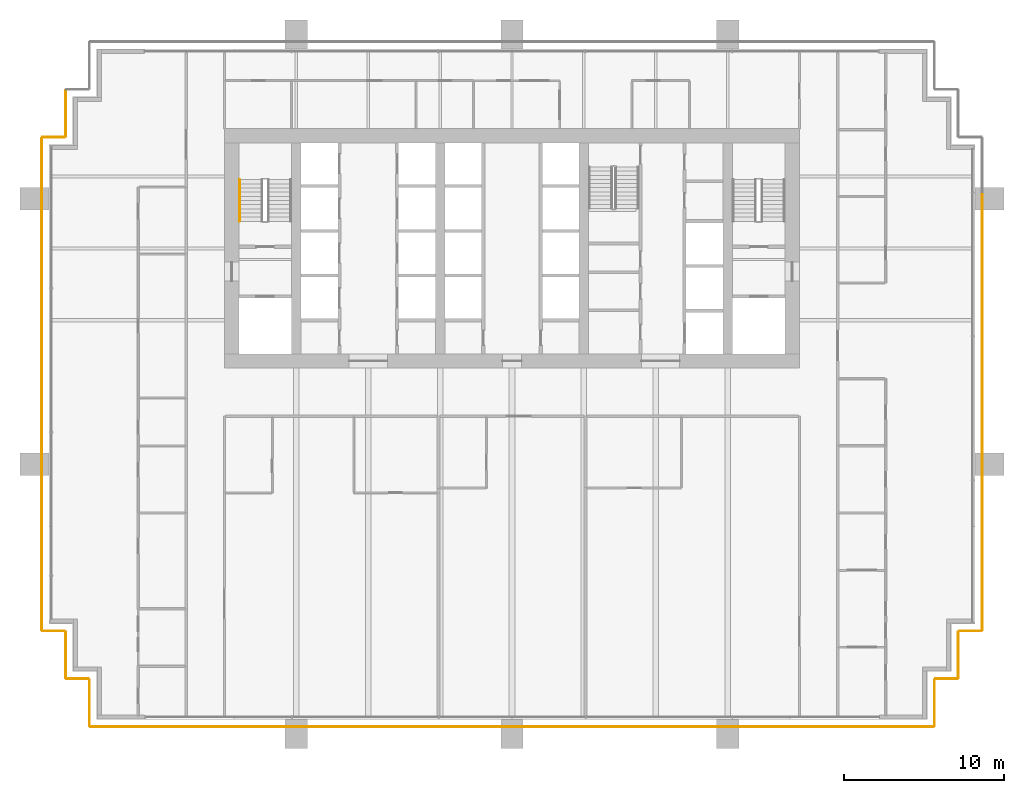
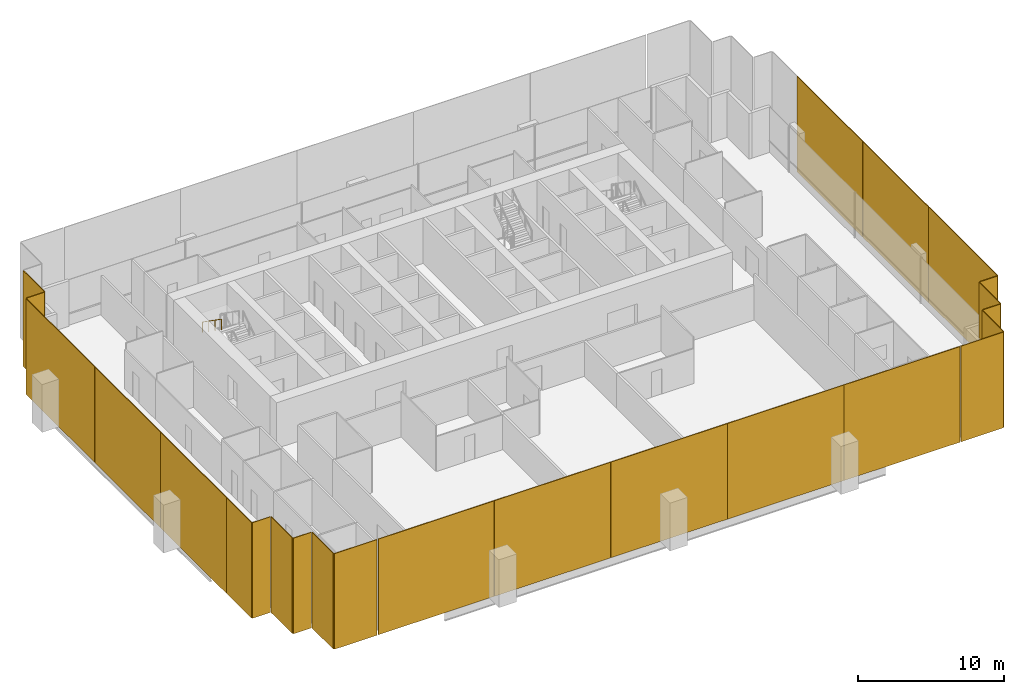
# One storey, part 15 of 17: 24 coverings, 1 railing.
"""IFC4 building model written with IfcOpenShell, lengths in metres."""

from ifc_helpers import new_model, si_unit, direction, frame, origin, origin_2d, place, context, subcontext, project, spatial, rectangle, extrude, material, layer, layer_set, type_object, element, save


model = new_model("IFC4")

# Units and contexts
model_context = context("Model", 3, precision=1e-05, world=origin(), true_north=direction((0.0, 1.0)))
body_context = subcontext(model_context, "Body", "Model", "MODEL_VIEW")
ifc_project = project(units=[si_unit("LENGTHUNIT", "METRE"), si_unit("AREAUNIT", "SQUARE_METRE"), si_unit("VOLUMEUNIT", "CUBIC_METRE"), si_unit("PLANEANGLEUNIT", "RADIAN"), si_unit("MASSUNIT", "GRAM", prefix="KILO")], contexts=[model_context])

# Site, building, storey
site_placement = place(None, origin())
site = spatial("IfcSite", under=ifc_project, at=site_placement, CompositionType="ELEMENT")
building_placement = place(site_placement, origin())
building = spatial("IfcBuilding", under=site, at=building_placement, Name="Rattan Terrace Tower", CompositionType="ELEMENT")
storey_placement = place(building_placement, frame((0.0, 0.0, 138.10009765625)))
storey = spatial("IfcBuildingStorey", under=building, at=storey_placement, Name="L31", CompositionType="ELEMENT", Elevation=138.10009765625)

# Railing
ifc_material_1 = material(Name="Powder-coated steel handrail", Category="steel")
railing_type = type_object("IfcRailingType", Name="Core stair handrail", PredefinedType="HANDRAIL", material=ifc_material_1)
railing_placement = place(storey_placement, frame((-17.050048828125, 4.300048828125, 2.181640625)))
element("IfcRailing", 1, at=railing_placement, inside=storey, type_object=railing_type, Name="L31 S1 stair handrail 2", PredefinedType="HANDRAIL", context=body_context, shape_type="SweptSolid", body=[
    extrude(rectangle(XDim=0.048095703125, YDim=0.048095703125, at=origin_2d()), frame((0.0, 0.0, 0.8759765625), z_axis=(0.0, -0.819484887739, 0.573100792852), x_axis=(1.0, 0.0, 0.0)), (0.0, 0.0, 1.0), 3.1728515625),
    extrude(rectangle(XDim=0.0419921875, YDim=0.0419921875, at=origin_2d()), origin(), (0.0, 0.0, 1.0), 0.851806640625),
    extrude(rectangle(XDim=0.0419921875, YDim=0.0419921875, at=origin_2d()), frame((0.0, -0.86669921875, 0.606201171875)), (0.0, 0.0, 1.0), 0.851806640625),
    extrude(rectangle(XDim=0.0419921875, YDim=0.0419921875, at=origin_2d()), frame((0.0, -1.7333984375, 1.212158203125)), (0.0, 0.0, 1.0), 0.851806640625),
    extrude(rectangle(XDim=0.0419921875, YDim=0.0419921875, at=origin_2d()), frame((0.0, -2.60009765625, 1.818359375)), (0.0, 0.0, 1.0), 0.851806640625),
])

# Coverings
ifc_material_2 = material(Name="Perforated terracotta", Category="masonry")
ifc_layer = layer(ifc_material_2, 0.06005859375)
ifc_layer_set = layer_set([ifc_layer], Name="Facade Terracotta Screen Panel")
covering_type = type_object("IfcCoveringType", Name="Facade Terracotta Screen Panel", PredefinedType="CLADDING", material=ifc_layer_set)
covering_1_placement = place(storey_placement, frame((24.72509765625, -29.949951171875, -0.190185546875), z_axis=(0.0, 0.0, 1.0), x_axis=(1.0, 0.0, 0.0)))
element("IfcCovering", 2, at=covering_1_placement, inside=storey, type_object=covering_type, Name="OUTER SKIN panel L31-1", PredefinedType="CLADDING", context=body_context, shape_type="SweptSolid", body=[
    extrude(rectangle(XDim=3.3701171875, YDim=0.06005859375, at=origin_2d()), origin(), (0.0, 0.0, 1.0), 7.97998046875),
])
covering_2_placement = place(storey_placement, frame((26.449951171875, -28.449951171875, -0.190185546875), z_axis=(0.0, 0.0, 1.0), x_axis=(0.0, 1.0, 0.0)))
element("IfcCovering", 3, at=covering_2_placement, inside=storey, type_object=covering_type, Name="OUTER SKIN panel L31-2", PredefinedType="CLADDING", context=body_context, shape_type="SweptSolid", body=[
    extrude(rectangle(XDim=2.919921875, YDim=0.06005859375, at=origin_2d()), origin(), (0.0, 0.0, 1.0), 7.97998046875),
])
covering_3_placement = place(storey_placement, frame((27.199951171875, -26.949951171875, -0.190185546875), z_axis=(0.0, 0.0, 1.0), x_axis=(1.0, 0.0, 0.0)))
element("IfcCovering", 4, at=covering_3_placement, inside=storey, type_object=covering_type, Name="OUTER SKIN panel L31-3", PredefinedType="CLADDING", context=body_context, shape_type="SweptSolid", body=[
    extrude(rectangle(XDim=1.419921875, YDim=0.06005859375, at=origin_2d()), origin(), (0.0, 0.0, 1.0), 7.97998046875),
])
covering_4_placement = place(storey_placement, frame((27.949951171875, -25.449951171875, -0.190185546875), z_axis=(0.0, 0.0, 1.0), x_axis=(0.0, 1.0, 0.0)))
element("IfcCovering", 5, at=covering_4_placement, inside=storey, type_object=covering_type, Name="OUTER SKIN panel L31-4", PredefinedType="CLADDING", context=body_context, shape_type="SweptSolid", body=[
    extrude(rectangle(XDim=2.919921875, YDim=0.06005859375, at=origin_2d()), origin(), (0.0, 0.0, 1.0), 7.97998046875),
])
covering_5_placement = place(storey_placement, frame((28.699951171875, -23.949951171875, -0.190185546875), z_axis=(0.0, 0.0, 1.0), x_axis=(1.0, 0.0, 0.0)))
element("IfcCovering", 6, at=covering_5_placement, inside=storey, type_object=covering_type, Name="OUTER SKIN panel L31-5", PredefinedType="CLADDING", context=body_context, shape_type="SweptSolid", body=[
    extrude(rectangle(XDim=1.419921875, YDim=0.06005859375, at=origin_2d()), origin(), (0.0, 0.0, 1.0), 7.97998046875),
])
covering_6_placement = place(storey_placement, frame((29.449951171875, -19.2099609375, -0.190185546875), z_axis=(0.0, 0.0, 1.0), x_axis=(0.0, 1.0, 0.0)))
element("IfcCovering", 7, at=covering_6_placement, inside=storey, type_object=covering_type, Name="OUTER SKIN panel L31-6", PredefinedType="CLADDING", context=body_context, shape_type="SweptSolid", body=[
    extrude(rectangle(XDim=9.39990234375, YDim=0.06005859375, at=origin_2d()), origin(), (0.0, 0.0, 1.0), 7.97998046875),
])
for number, where, z_axis, x_axis, name in (
    (8, (29.449951171875, -10.0, -0.190185546875), (0.0, 0.0, 1.0), (0.0, 1.0, 0.0), "OUTER SKIN panel L31-7"),
    (9, (29.449951171875, -1.0, -0.190185546875), (0.0, 0.0, 1.0), (0.0, 1.0, 0.0), "OUTER SKIN panel L31-8"),
):
    element("IfcCovering", number, at=place(storey_placement, frame(where, z_axis=z_axis, x_axis=x_axis)), inside=storey, type_object=covering_type, Name=name, PredefinedType="CLADDING", context=body_context, shape_type="SweptSolid", body=[
        extrude(rectangle(XDim=8.97998046875, YDim=0.06005859375, at=origin_2d()), origin(), (0.0, 0.0, 1.0), 7.97998046875),
    ])
covering_7_placement = place(storey_placement, frame((-27.949951171875, 8.449951171875, -0.190185546875), z_axis=(0.0, 0.0, 1.0), x_axis=(0.0, -1.0, 0.0)))
element("IfcCovering", 10, at=covering_7_placement, inside=storey, type_object=covering_type, Name="OUTER SKIN panel L31-23", PredefinedType="CLADDING", context=body_context, shape_type="SweptSolid", body=[
    extrude(rectangle(XDim=2.919921875, YDim=0.06005859375, at=origin_2d()), origin(), (0.0, 0.0, 1.0), 7.97998046875),
])
covering_8_placement = place(storey_placement, frame((-28.699951171875, 6.949951171875, -0.190185546875), z_axis=(0.0, 0.0, 1.0), x_axis=(-1.0, 0.0, 0.0)))
element("IfcCovering", 11, at=covering_8_placement, inside=storey, type_object=covering_type, Name="OUTER SKIN panel L31-24", PredefinedType="CLADDING", context=body_context, shape_type="SweptSolid", body=[
    extrude(rectangle(XDim=1.419921875, YDim=0.06005859375, at=origin_2d()), origin(), (0.0, 0.0, 1.0), 7.97998046875),
])
covering_9_placement = place(storey_placement, frame((-29.449951171875, 2.2099609375, -0.190185546875), z_axis=(0.0, 0.0, 1.0), x_axis=(0.0, -1.0, 0.0)))
element("IfcCovering", 12, at=covering_9_placement, inside=storey, type_object=covering_type, Name="OUTER SKIN panel L31-25", PredefinedType="CLADDING", context=body_context, shape_type="SweptSolid", body=[
    extrude(rectangle(XDim=9.39990234375, YDim=0.06005859375, at=origin_2d()), origin(), (0.0, 0.0, 1.0), 7.97998046875),
])
for number, where, z_axis, x_axis, name in (
    (13, (-29.449951171875, -7.0, -0.190185546875), (0.0, 0.0, 1.0), (0.0, -1.0, 0.0), "OUTER SKIN panel L31-26"),
    (14, (-29.449951171875, -16.0, -0.190185546875), (0.0, 0.0, 1.0), (0.0, -1.0, 0.0), "OUTER SKIN panel L31-27"),
):
    element("IfcCovering", number, at=place(storey_placement, frame(where, z_axis=z_axis, x_axis=x_axis)), inside=storey, type_object=covering_type, Name=name, PredefinedType="CLADDING", context=body_context, shape_type="SweptSolid", body=[
        extrude(rectangle(XDim=8.97998046875, YDim=0.06005859375, at=origin_2d()), origin(), (0.0, 0.0, 1.0), 7.97998046875),
    ])
covering_10_placement = place(storey_placement, frame((-29.449951171875, -22.2099609375, -0.190185546875), z_axis=(0.0, 0.0, 1.0), x_axis=(0.0, -1.0, 0.0)))
element("IfcCovering", 15, at=covering_10_placement, inside=storey, type_object=covering_type, Name="OUTER SKIN panel L31-28", PredefinedType="CLADDING", context=body_context, shape_type="SweptSolid", body=[
    extrude(rectangle(XDim=3.39990234375, YDim=0.06005859375, at=origin_2d()), origin(), (0.0, 0.0, 1.0), 7.97998046875),
])
covering_11_placement = place(storey_placement, frame((-28.699951171875, -23.949951171875, -0.190185546875), z_axis=(0.0, 0.0, 1.0), x_axis=(1.0, 0.0, 0.0)))
element("IfcCovering", 16, at=covering_11_placement, inside=storey, type_object=covering_type, Name="OUTER SKIN panel L31-29", PredefinedType="CLADDING", context=body_context, shape_type="SweptSolid", body=[
    extrude(rectangle(XDim=1.419921875, YDim=0.06005859375, at=origin_2d()), origin(), (0.0, 0.0, 1.0), 7.97998046875),
])
covering_12_placement = place(storey_placement, frame((-27.949951171875, -25.449951171875, -0.190185546875), z_axis=(0.0, 0.0, 1.0), x_axis=(0.0, -1.0, 0.0)))
element("IfcCovering", 17, at=covering_12_placement, inside=storey, type_object=covering_type, Name="OUTER SKIN panel L31-30", PredefinedType="CLADDING", context=body_context, shape_type="SweptSolid", body=[
    extrude(rectangle(XDim=2.919921875, YDim=0.06005859375, at=origin_2d()), origin(), (0.0, 0.0, 1.0), 7.97998046875),
])
covering_13_placement = place(storey_placement, frame((-27.199951171875, -26.949951171875, -0.190185546875), z_axis=(0.0, 0.0, 1.0), x_axis=(1.0, 0.0, 0.0)))
element("IfcCovering", 18, at=covering_13_placement, inside=storey, type_object=covering_type, Name="OUTER SKIN panel L31-31", PredefinedType="CLADDING", context=body_context, shape_type="SweptSolid", body=[
    extrude(rectangle(XDim=1.419921875, YDim=0.06005859375, at=origin_2d()), origin(), (0.0, 0.0, 1.0), 7.97998046875),
])
covering_14_placement = place(storey_placement, frame((-26.449951171875, -28.449951171875, -0.190185546875), z_axis=(0.0, 0.0, 1.0), x_axis=(0.0, -1.0, 0.0)))
element("IfcCovering", 19, at=covering_14_placement, inside=storey, type_object=covering_type, Name="OUTER SKIN panel L31-32", PredefinedType="CLADDING", context=body_context, shape_type="SweptSolid", body=[
    extrude(rectangle(XDim=2.919921875, YDim=0.06005859375, at=origin_2d()), origin(), (0.0, 0.0, 1.0), 7.97998046875),
])
covering_15_placement = place(storey_placement, frame((-24.72509765625, -29.949951171875, -0.190185546875), z_axis=(0.0, 0.0, 1.0), x_axis=(1.0, 0.0, 0.0)))
element("IfcCovering", 20, at=covering_15_placement, inside=storey, type_object=covering_type, Name="OUTER SKIN panel L31-33", PredefinedType="CLADDING", context=body_context, shape_type="SweptSolid", body=[
    extrude(rectangle(XDim=3.3701171875, YDim=0.06005859375, at=origin_2d()), origin(), (0.0, 0.0, 1.0), 7.97998046875),
])
covering_16_placement = place(storey_placement, frame((-18.384521484375, -29.949951171875, -0.190185546875), z_axis=(0.0, 0.0, 1.0), x_axis=(1.0, 0.0, 0.0)))
element("IfcCovering", 21, at=covering_16_placement, inside=storey, type_object=covering_type, Name="OUTER SKIN panel L31-34", PredefinedType="CLADDING", context=body_context, shape_type="SweptSolid", body=[
    extrude(rectangle(XDim=9.15087890625, YDim=0.06005859375, at=origin_2d()), origin(), (0.0, 0.0, 1.0), 7.97998046875),
])
for number, where, z_axis, x_axis, name in (
    (22, (-9.198486328125, -29.949951171875, -0.190185546875), (0.0, 0.0, 1.0), (1.0, 0.0, 0.0), "OUTER SKIN panel L31-35"),
    (23, (0.00244140625, -29.949951171875, -0.190185546875), (0.0, 0.0, 1.0), (1.0, 0.0, 0.0), "OUTER SKIN panel L31-36"),
    (24, (9.20361328125, -29.949951171875, -0.190185546875), (0.0, 0.0, 1.0), (1.0, 0.0, 0.0), "OUTER SKIN panel L31-37"),
):
    element("IfcCovering", number, at=place(storey_placement, frame(where, z_axis=z_axis, x_axis=x_axis)), inside=storey, type_object=covering_type, Name=name, PredefinedType="CLADDING", context=body_context, shape_type="SweptSolid", body=[
        extrude(rectangle(XDim=9.180908203125, YDim=0.06005859375, at=origin_2d()), origin(), (0.0, 0.0, 1.0), 7.97998046875),
    ])
covering_17_placement = place(storey_placement, frame((18.386962890625, -29.949951171875, -0.190185546875), z_axis=(0.0, 0.0, 1.0), x_axis=(1.0, 0.0, 0.0)))
element("IfcCovering", 25, at=covering_17_placement, inside=storey, type_object=covering_type, Name="OUTER SKIN panel L31-38", PredefinedType="CLADDING", context=body_context, shape_type="SweptSolid", body=[
    extrude(rectangle(XDim=9.14599609375, YDim=0.06005859375, at=origin_2d()), origin(), (0.0, 0.0, 1.0), 7.97998046875),
])

save(model, "model.ifc")
